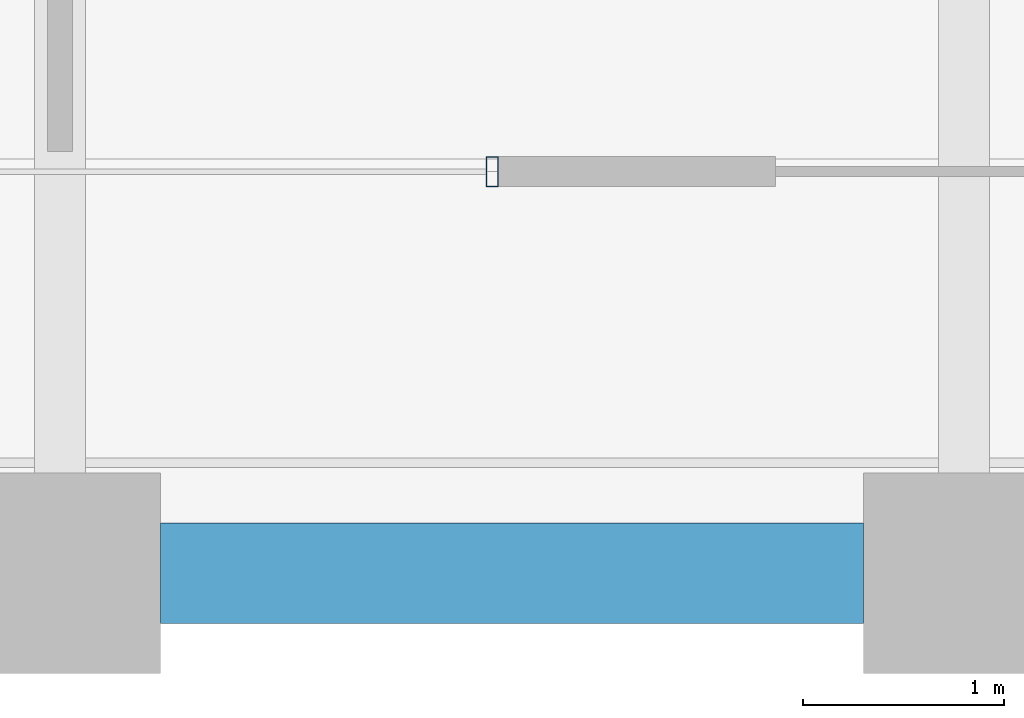
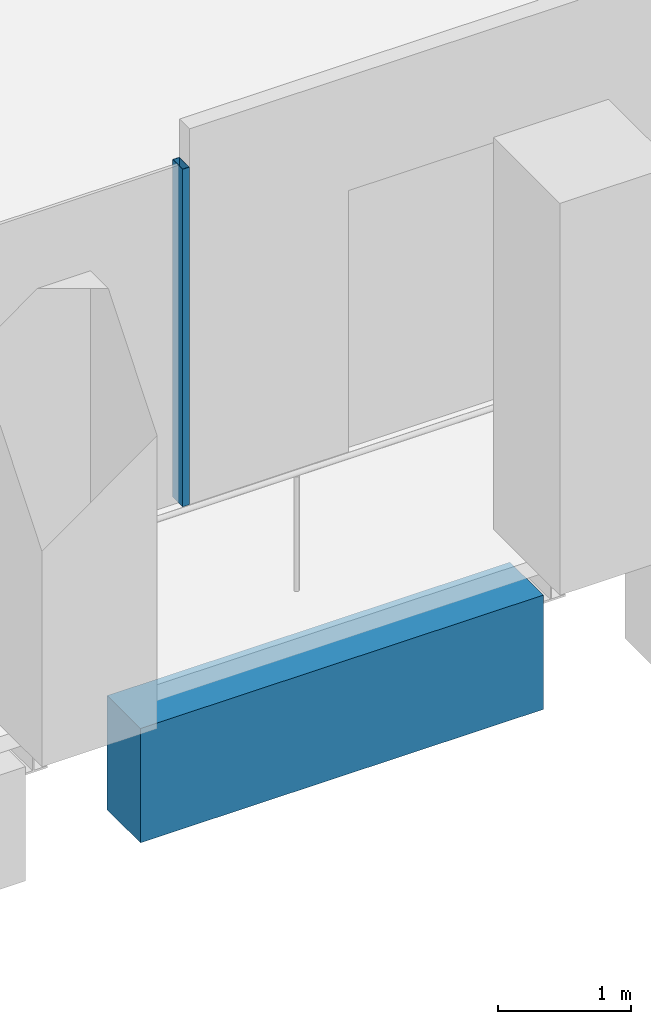
# One storey, part 7 of 46: 1 beam, 1 member, 1 element without a shape of its own.
"""IFC4 building model written with IfcOpenShell, lengths in metres."""

from ifc_helpers import new_model, si_unit, direction, frame, origin, origin_2d, place, context, subcontext, project, spatial, rectangle, hollow_rectangle, extrude, material, material_profile, profile_set, type_object, element, aggregate, save


model = new_model("IFC4")

# Units and contexts
model_context = context("Model", 3, precision=1e-05, world=origin(), true_north=direction((0.0, 1.0)))
body_context = subcontext(model_context, "Body", "Model", "MODEL_VIEW")
ifc_project = project(units=[si_unit("LENGTHUNIT", "METRE"), si_unit("AREAUNIT", "SQUARE_METRE"), si_unit("VOLUMEUNIT", "CUBIC_METRE"), si_unit("PLANEANGLEUNIT", "RADIAN"), si_unit("MASSUNIT", "GRAM", prefix="KILO")], contexts=[model_context])

# Site, building, storey
site_placement = place(None, origin())
site = spatial("IfcSite", under=ifc_project, at=site_placement, CompositionType="ELEMENT")
building_placement = place(site_placement, origin())
building = spatial("IfcBuilding", under=site, at=building_placement, Name="Altepetl Exchange Towers", CompositionType="ELEMENT")
storey_placement = place(building_placement, frame((0.0, 0.0, 106.39990234375)))
storey = spatial("IfcBuildingStorey", under=building, at=storey_placement, Name="L26", CompositionType="ELEMENT", Elevation=106.39990234375)

# Curtain wall, member
ifc_material_1 = material(Name="Aluminium 6063-T6 glazing", Category="aluminium")
curtain_wall_type = type_object("IfcCurtainWallType", Name="Loggia glazing system", PredefinedType="NOTDEFINED", material=ifc_material_1)
curtain_wall_placement = place(storey_placement, origin())
curtain_wall = element("IfcCurtainWall", 1, at=curtain_wall_placement, inside=storey, type_object=curtain_wall_type, Name="CW1 run", PredefinedType="NOTDEFINED")
ifc_material_2 = material(Name="Aluminium 6063-T6", Category="aluminium")
ifc_material_profile_1 = material_profile(ifc_material_2, hollow_rectangle(XDim=0.06005859375, YDim=0.14990234375, WallThickness=0.0029296875, at=origin_2d()), Name="Mullion 60x150 aluminium")
ifc_profile_set_1 = profile_set([ifc_material_profile_1], Name="Aluminium 6063-T6")
member_type = type_object("IfcMemberType", Name="Mullion 60x150 aluminium", PredefinedType="MULLION", material=ifc_profile_set_1)
member_placement = place(storey_placement, frame((47.152099609375, 29.0, 0.0)))
member = element("IfcMember", 2, at=member_placement, type_object=member_type, Name="MU1 mullion", PredefinedType="MULLION", context=body_context, shape_type="SweptSolid", body=[
    extrude(hollow_rectangle(XDim=0.06005859375, YDim=0.14990234375, WallThickness=0.0029296875, at=origin_2d()), origin(), (0.0, 0.0, 1.0), 3.10009765625),
])
aggregate(curtain_wall, [member])

# Beam
ifc_material_3 = material(Name="Concrete C50/60 precast with cantera blanca facing", Category="concrete")
ifc_material_profile_2 = material_profile(ifc_material_3, rectangle(XDim=0.5, YDim=1.050048828125, at=origin_2d()), Name="500 x 1050")
ifc_profile_set_2 = profile_set([ifc_material_profile_2], Name="Concrete C50/60 precast with cantera blanca facing")
beam_type = type_object("IfcBeamType", Name="Spandrel beam 500x1050 cantera blanca", PredefinedType="SPANDREL", material=ifc_profile_set_2)
beam_placement = place(storey_placement, frame((45.5, 27.0, -0.6748046875), z_axis=(1.0, 0.0, 0.0), x_axis=(0.0, 1.0, 0.0)))
element("IfcBeam", 3, at=beam_placement, inside=storey, type_object=beam_type, Name="sp:A:L26:003", PredefinedType="SPANDREL", context=body_context, shape_type="SweptSolid", body=[
    extrude(rectangle(XDim=0.5, YDim=1.050048828125, at=origin_2d()), origin(), (0.0, 0.0, 1.0), 3.5),
])

save(model, "model.ifc")
